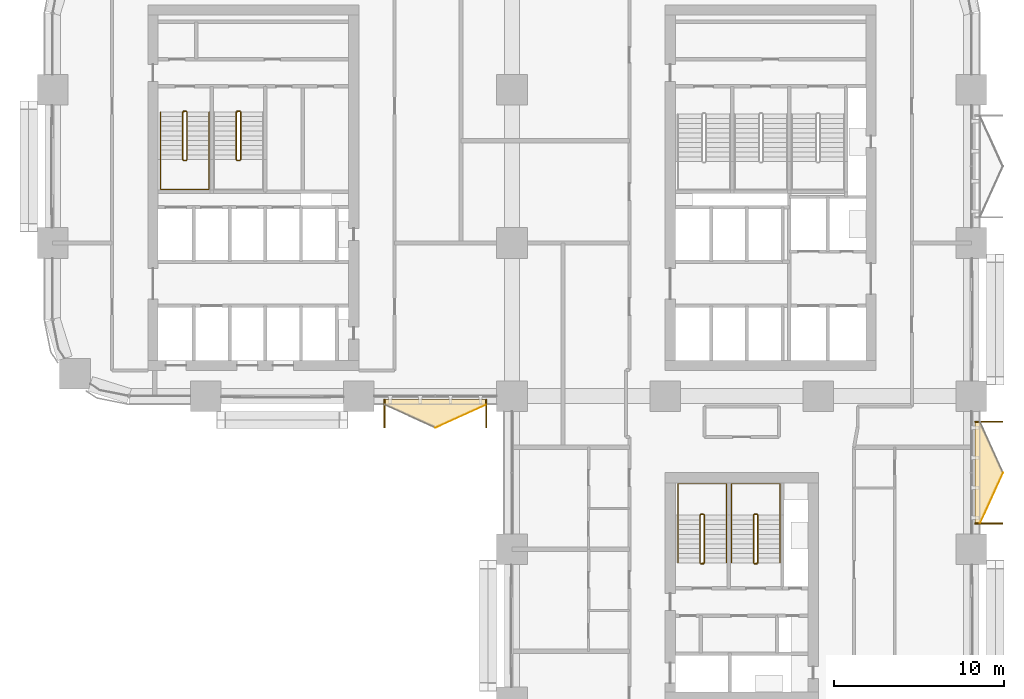
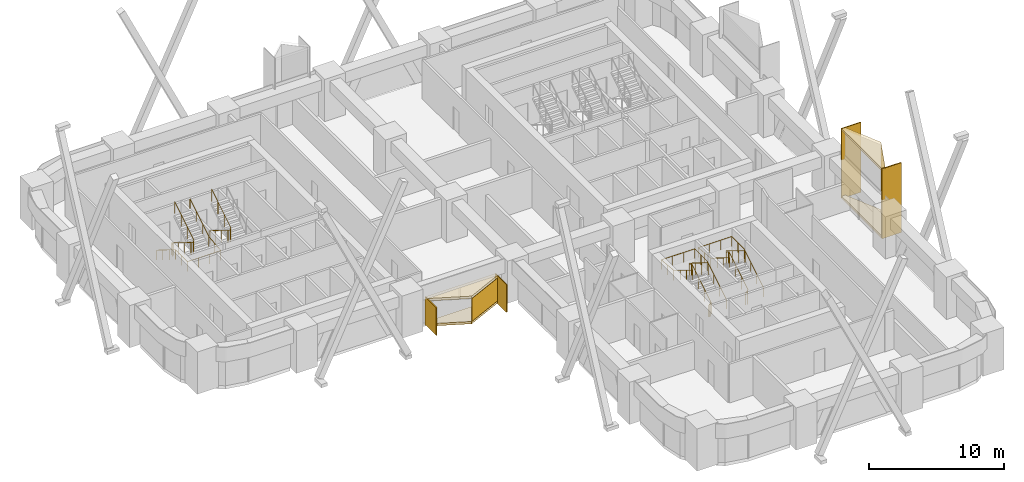
# One storey, part 18 of 19: 10 coverings, 7 railings.
"""IFC4 building model written with IfcOpenShell, lengths in metres."""

import ifcopenshell
import ifcopenshell.guid

model = None  # the IFC model being written
_history = None  # IfcOwnerHistory: only IFC2X3 demands one
_inside = {}  # id of a spatial element -> (the spatial element, [elements in it])
_under = {}  # id of a project, library or spatial element -> (it, [spatial elements below it])
_declared = {}  # id of a project -> (the project, [libraries it declares])
_typed = {}  # id of a type object -> (the type object, [elements of that type])
_made_of = {}  # id of a material, layer set ... -> (it, [elements and type objects made of it])


def new_model(schema):
    """Start an empty IFC model of exactly this schema.

    Asked for "IFC4X3", IfcOpenShell would pick the latest addendum, in which some entities
    have other attributes; the version numbers below select the first issue.
    IFC2X3 requires an IfcOwnerHistory on every rooted entity: one is made here for all.
    """
    global model, _history
    if schema == "IFC4X3":
        model = ifcopenshell.file(schema_version=(4, 3, 0, 0))
    else:
        model = ifcopenshell.file(schema=schema)
    _inside.clear()
    _under.clear()
    _declared.clear()
    _typed.clear()
    _made_of.clear()
    _history = None
    if model.schema == "IFC2X3":
        org = make("IfcOrganization", Name="unknown")
        user = make(
            "IfcPersonAndOrganization",
            ThePerson=make("IfcPerson", FamilyName="unknown"),
            TheOrganization=org,
        )
        app = make(
            "IfcApplication",
            ApplicationDeveloper=org,
            Version="unknown",
            ApplicationFullName="unknown",
            ApplicationIdentifier="unknown",
        )
        _history = make(
            "IfcOwnerHistory",
            OwningUser=user,
            OwningApplication=app,
            ChangeAction="ADDED",
            CreationDate=0,
        )
    return model


def make(cls, **values):
    """One entity of the class cls with the attributes given. An attribute that is None is left unset."""
    return model.create_entity(
        cls, **{name: value for name, value in values.items() if value is not None}
    )


def rooted(cls, **values):
    """An entity with a GlobalId (a new one), such as an element, a storey or a relation."""
    return make(cls, GlobalId=ifcopenshell.guid.new(), OwnerHistory=_history, **values)


def si_unit(unit_type, name, prefix=None):
    """IfcSIUnit, for example si_unit("LENGTHUNIT", "METRE", prefix="MILLI")."""
    return make("IfcSIUnit", UnitType=unit_type, Prefix=prefix, Name=name)


def assignment(units):
    """IfcUnitAssignment: the units of a project."""
    return None if units is None else make("IfcUnitAssignment", Units=units)


def point(xyz):
    """IfcCartesianPoint."""
    return None if xyz is None else make("IfcCartesianPoint", Coordinates=xyz)


def direction(xyz):
    """IfcDirection."""
    return None if xyz is None else make("IfcDirection", DirectionRatios=xyz)


def frame(location, z_axis=None, x_axis=None):
    """IfcAxis2Placement3D, a coordinate frame: its origin and axes. An axis left out is left unset."""
    return make(
        "IfcAxis2Placement3D",
        Location=point(location),
        Axis=direction(z_axis),
        RefDirection=direction(x_axis),
    )


def frame_2d(location, x_axis=None):
    """IfcAxis2Placement2D, a coordinate frame in the plane: its origin and x axis."""
    return make(
        "IfcAxis2Placement2D", Location=point(location), RefDirection=direction(x_axis)
    )


def origin():
    """The frame at (0, 0, 0) with its axes left unset."""
    return frame((0.0, 0.0, 0.0))


def origin_2d():
    """The frame at (0, 0) in the plane with its x axis left unset."""
    return frame_2d((0.0, 0.0))


def place(relative_to, where):
    """IfcLocalPlacement: puts the frame where relative to a parent placement (None: the world)."""
    return make(
        "IfcLocalPlacement", PlacementRelTo=relative_to, RelativePlacement=where
    )


def context(
    kind, dimensions, precision=None, world=None, true_north=None, identifier=None
):
    """IfcGeometricRepresentationContext, for example the 3D "Model" context."""
    return make(
        "IfcGeometricRepresentationContext",
        ContextIdentifier=identifier,
        ContextType=kind,
        CoordinateSpaceDimension=dimensions,
        Precision=precision,
        WorldCoordinateSystem=world,
        TrueNorth=true_north,
    )


def subcontext(parent, identifier, kind, view, scale=None):
    """IfcGeometricRepresentationSubContext, for example "Body" below "Model"."""
    return make(
        "IfcGeometricRepresentationSubContext",
        ContextIdentifier=identifier,
        ContextType=kind,
        ParentContext=parent,
        TargetScale=scale,
        TargetView=view,
    )


def project(units=None, contexts=None):
    """IfcProject with its units and contexts."""
    return rooted(
        "IfcProject",
        Name="project",
        RepresentationContexts=contexts,
        UnitsInContext=assignment(units),
    )


def spatial(cls, under=None, at=None, **own):
    """A site, building, storey or space (cls), placed at a placement, below another one or the project."""
    s = rooted(cls, ObjectPlacement=at, **own)
    if under is not None:
        _under.setdefault(under.id(), (under, []))[1].append(s)
    return s


def polyline(points):
    """IfcPolyline through the points."""
    return make("IfcPolyline", Points=[point(p) for p in points])


def profile(cls, at=None, kind="AREA", **sizes):
    """A parametric profile (cls). Its sizes go by their IFC names, for example OverallWidth=200.0."""
    return make(cls, ProfileType=kind, Position=at, **sizes)


def rectangle(**sizes):
    """IfcRectangleProfileDef."""
    return profile("IfcRectangleProfileDef", **sizes)


def circle(**sizes):
    """IfcCircleProfileDef."""
    return profile("IfcCircleProfileDef", **sizes)


def outline(outer, holes=None, kind="AREA"):
    """IfcArbitraryClosedProfileDef: a profile drawn as a closed curve; with holes, ...WithVoids."""
    if holes is None:
        return make("IfcArbitraryClosedProfileDef", ProfileType=kind, OuterCurve=outer)
    return make(
        "IfcArbitraryProfileDefWithVoids",
        ProfileType=kind,
        OuterCurve=outer,
        InnerCurves=holes,
    )


def extrude(swept, where, along, depth):
    """IfcExtrudedAreaSolid: the profile swept, set in the frame where, extruded along a direction by depth."""
    return make(
        "IfcExtrudedAreaSolid",
        SweptArea=swept,
        Position=where,
        ExtrudedDirection=direction(along),
        Depth=depth,
    )


def shape(context_of_items, identifier, shape_type, items):
    """IfcShapeRepresentation: the items that make up one representation, for example the "Body"."""
    return make(
        "IfcShapeRepresentation",
        ContextOfItems=context_of_items,
        RepresentationIdentifier=identifier,
        RepresentationType=shape_type,
        Items=items,
    )


def material(Name=None, Category=None):
    """IfcMaterial."""
    return make("IfcMaterial", Name=Name, Category=Category)


def layer(
    of_material, thickness, ventilated=None, Name=None, Category=None, Priority=None
):
    """IfcMaterialLayer: one layer of a wall or slab, of a material (None: an air gap)."""
    return make(
        "IfcMaterialLayer",
        Material=of_material,
        LayerThickness=thickness,
        IsVentilated=ventilated,
        Name=Name,
        Category=Category,
        Priority=Priority,
    )


def layer_set(layers, Name=None):
    """IfcMaterialLayerSet."""
    return make("IfcMaterialLayerSet", MaterialLayers=layers, LayerSetName=Name)


def made_of(thing, what):
    """Note that an element or type object is made of a material, layer set ...; save() writes the relation."""
    if what is not None:
        _made_of.setdefault(what.id(), (what, []))[1].append(thing)
    return thing


def type_object(cls, material=None, **own):
    """A type object (cls), such as IfcWallType, which elements share."""
    return made_of(rooted(cls, **own), material)


def element(
    cls,
    number,
    at=None,
    inside=None,
    cuts=None,
    type_object=None,
    material=None,
    context=None,
    identifier="Body",
    shape_type=None,
    held_by="IfcProductDefinitionShape",
    body=None,
    shapes=None,
    **own,
):
    """One element of the class cls, such as IfcWall. Its Tag is "e" and its number.

    at: its placement. inside: the storey or other place that contains it. cuts: it is an
    opening in that element (IfcRelVoidsElement). A single representation is given by context,
    identifier, shape_type and body (its items); several are given by shapes. held_by: the class
    of the entity that holds the representations. save() writes the other relations.
    """
    e = rooted(cls, Tag="e%d" % number, ObjectPlacement=at, **own)
    if body is not None:
        shapes = [shape(context, identifier, shape_type, body)]
    if shapes is not None:
        e.Representation = make(held_by, Representations=shapes)
    if inside is not None:
        _inside.setdefault(inside.id(), (inside, []))[1].append(e)
    if cuts is not None:
        rooted(
            "IfcRelVoidsElement", RelatingBuildingElement=cuts, RelatedOpeningElement=e
        )
    if type_object is not None:
        _typed.setdefault(type_object.id(), (type_object, []))[1].append(e)
    return made_of(e, material)


def aggregate(whole, parts):
    """IfcRelAggregates: a whole, such as a stair, and the parts it consists of."""
    return rooted("IfcRelAggregates", RelatingObject=whole, RelatedObjects=parts)


def save(model, path):
    """Write the relations noted so far, then the file.

    IfcRelAggregates (storeys below a building ...), IfcRelContainedInSpatialStructure (elements
    in a storey), IfcRelDefinesByType, IfcRelAssociatesMaterial and IfcRelDeclares: one each for
    every whole, place, type object, material and project.
    """
    for whole, parts in _under.values():
        aggregate(whole, parts)
    for where, things in _inside.values():
        rooted(
            "IfcRelContainedInSpatialStructure",
            RelatedElements=things,
            RelatingStructure=where,
        )
    for kind, things in _typed.values():
        rooted("IfcRelDefinesByType", RelatedObjects=things, RelatingType=kind)
    for what, things in _made_of.values():
        rooted("IfcRelAssociatesMaterial", RelatedObjects=things, RelatingMaterial=what)
    for by, libraries in _declared.values():
        rooted("IfcRelDeclares", RelatingContext=by, RelatedDefinitions=libraries)
    model.write(path)


model = new_model("IFC4")

# Units and contexts
model_context = context("Model", 3, precision=1e-05, world=origin(), true_north=direction((0.0, 1.0)))
body_context = subcontext(model_context, "Body", "Model", "MODEL_VIEW")
ifc_project = project(units=[si_unit("LENGTHUNIT", "METRE"), si_unit("AREAUNIT", "SQUARE_METRE"), si_unit("VOLUMEUNIT", "CUBIC_METRE"), si_unit("PLANEANGLEUNIT", "RADIAN"), si_unit("MASSUNIT", "GRAM", prefix="KILO")], contexts=[model_context])

# Site, building, storey
site_placement = place(None, origin())
site = spatial("IfcSite", under=ifc_project, at=site_placement, CompositionType="ELEMENT")
building_placement = place(site_placement, origin())
building = spatial("IfcBuilding", under=site, at=building_placement, Name="Tessera Arch", CompositionType="ELEMENT")
storey_placement = place(building_placement, frame((0.0, 0.0, 93.0)))
storey = spatial("IfcBuildingStorey", under=building, at=storey_placement, Name="L21", CompositionType="ELEMENT", Elevation=93.0)

# Railings
ifc_material_1 = material(Name="Painted steel balustrade", Category="steel")
railing_type_1 = type_object("IfcRailingType", Name="Stair guard 1100", PredefinedType="GUARDRAIL", material=ifc_material_1)
railing_1_placement = place(storey_placement, frame((7.699951171875, 43.75, 0.0)))
element("IfcRailing", 1, at=railing_1_placement, inside=storey, type_object=railing_type_1, Name="L21 S2a stair guard 1", PredefinedType="GUARDRAIL", context=body_context, shape_type="SweptSolid", body=[
    extrude(circle(Radius=0.02392578125, at=origin_2d()), frame((-0.00390625, 0.0, 1.076171875), z_axis=(1.0, 0.0, 0.0), x_axis=(0.0, 1.0, 0.0)), (0.0, 0.0, 1.0), 0.158203125),
    extrude(circle(Radius=0.02392578125, at=origin_2d()), frame((0.153076171875, 0.000732421875, 1.073486328125), z_axis=(-0.744141464035, -0.186035366009, 0.641595140332), x_axis=(0.242535625036, -0.970142500145, 0.0)), (0.0, 0.0, 1.0), 0.277099609375),
    extrude(circle(Radius=0.02392578125, at=origin_2d()), frame((-0.050048828125, -0.046630859375, 1.24658203125), z_axis=(0.0, -0.851089632645, 0.525020415988), x_axis=(1.0, 0.0, 0.0)), (0.0, 0.0, 1.0), 3.2978515625),
    extrude(circle(Radius=0.02392578125, at=origin_2d()), frame((-0.052978515625, -2.84716796875, 2.97607421875), z_axis=(0.708833529934, -0.705375805398, 0.0), x_axis=(0.705375805398, 0.708833529934, 0.0)), (0.0, 0.0, 1.0), 0.07861328125),
    extrude(circle(Radius=0.02392578125, at=origin_2d()), frame((-0.00390625, -2.89990234375, 2.97607421875), z_axis=(1.0, 0.0, 0.0), x_axis=(0.0, 1.0, 0.0)), (0.0, 0.0, 1.0), 0.158203125),
    extrude(circle(Radius=0.02392578125, at=origin_2d()), frame((0.149169921875, -2.90087890625, 2.97216796875), z_axis=(0.266832911964, 0.266832911964, 0.926067165051), x_axis=(-0.707106781187, 0.707106781187, 0.0)), (0.0, 0.0, 1.0), 0.194580078125),
    extrude(circle(Radius=0.02392578125, at=origin_2d()), frame((0.199951171875, -2.853515625, 3.146728515625), z_axis=(0.0, 0.851089632645, 0.525020415988), x_axis=(-1.0, 0.0, 0.0)), (0.0, 0.0, 1.0), 3.2978515625),
    extrude(circle(Radius=0.02099609375, at=origin_2d()), origin(), (0.0, 0.0, 1.0), 1.06396484375),
    extrude(circle(Radius=0.02099609375, at=origin_2d()), frame((0.150146484375, 0.0, 0.0)), (0.0, 0.0, 1.0), 1.06396484375),
    extrude(circle(Radius=0.02099609375, at=origin_2d()), frame((-0.050048828125, -0.050048828125, 0.172607421875)), (0.0, 0.0, 1.0), 1.06396484375),
    extrude(circle(Radius=0.02099609375, at=origin_2d()), frame((-0.050048828125, -0.9833984375, 0.748291015625)), (0.0, 0.0, 1.0), 1.06396484375),
    extrude(circle(Radius=0.02099609375, at=origin_2d()), frame((-0.050048828125, -1.916748046875, 1.32421875)), (0.0, 0.0, 1.0), 1.06396484375),
    extrude(circle(Radius=0.02099609375, at=origin_2d()), frame((-0.050048828125, -2.85009765625, 1.89990234375)), (0.0, 0.0, 1.0), 1.06396484375),
    extrude(circle(Radius=0.02099609375, at=origin_2d()), frame((0.0, -2.89990234375, 1.89990234375)), (0.0, 0.0, 1.0), 1.06396484375),
    extrude(circle(Radius=0.02099609375, at=origin_2d()), frame((0.150146484375, -2.89990234375, 1.89990234375)), (0.0, 0.0, 1.0), 1.06396484375),
    extrude(circle(Radius=0.02099609375, at=origin_2d()), frame((0.199951171875, -2.85009765625, 2.07275390625)), (0.0, 0.0, 1.0), 1.06396484375),
    extrude(circle(Radius=0.02099609375, at=origin_2d()), frame((0.199951171875, -1.916748046875, 2.6484375)), (0.0, 0.0, 1.0), 1.06396484375),
    extrude(circle(Radius=0.02099609375, at=origin_2d()), frame((0.199951171875, -0.9833984375, 3.224365234375)), (0.0, 0.0, 1.0), 1.06396484375),
    extrude(circle(Radius=0.02099609375, at=origin_2d()), frame((0.199951171875, -0.050048828125, 3.800048828125)), (0.0, 0.0, 1.0), 1.06396484375),
])
railing_2_placement = place(storey_placement, frame((10.85009765625, 43.75, 0.0)))
element("IfcRailing", 2, at=railing_2_placement, inside=storey, type_object=railing_type_1, Name="L21 S2b stair guard 1", PredefinedType="GUARDRAIL", context=body_context, shape_type="SweptSolid", body=[
    extrude(circle(Radius=0.02392578125, at=origin_2d()), frame((-0.00390625, 0.0, 1.076171875), z_axis=(1.0, 0.0, 0.0), x_axis=(0.0, 1.0, 0.0)), (0.0, 0.0, 1.0), 0.157958984375),
    extrude(circle(Radius=0.02392578125, at=origin_2d()), frame((0.15283203125, 0.000732421875, 1.073486328125), z_axis=(-0.743736083135, -0.18616104645, 0.642028584587), x_axis=(0.242814311512, -0.970072785993, 0.0)), (0.0, 0.0, 1.0), 0.27685546875),
    extrude(circle(Radius=0.02392578125, at=origin_2d()), frame((-0.050048828125, -0.046630859375, 1.24658203125), z_axis=(0.0, -0.851089632645, 0.525020415988), x_axis=(1.0, 0.0, 0.0)), (0.0, 0.0, 1.0), 3.2978515625),
    extrude(circle(Radius=0.02392578125, at=origin_2d()), frame((-0.052978515625, -2.84716796875, 2.97607421875), z_axis=(0.708833529934, -0.705375805398, 0.0), x_axis=(0.705375805398, 0.708833529934, 0.0)), (0.0, 0.0, 1.0), 0.07861328125),
    extrude(circle(Radius=0.02392578125, at=origin_2d()), frame((-0.00390625, -2.89990234375, 2.97607421875), z_axis=(1.0, 0.0, 0.0), x_axis=(0.0, 1.0, 0.0)), (0.0, 0.0, 1.0), 0.157958984375),
    extrude(circle(Radius=0.02392578125, at=origin_2d()), frame((0.14892578125, -2.90087890625, 2.97216796875), z_axis=(0.268047150085, 0.266739603011, 0.925743328097), x_axis=(-0.705375805398, 0.708833529934, 0.0)), (0.0, 0.0, 1.0), 0.19482421875),
    extrude(circle(Radius=0.02392578125, at=origin_2d()), frame((0.199951171875, -2.853515625, 3.146728515625), z_axis=(0.0, 0.851089632645, 0.525020415988), x_axis=(-1.0, 0.0, 0.0)), (0.0, 0.0, 1.0), 3.2978515625),
    extrude(circle(Radius=0.02099609375, at=origin_2d()), origin(), (0.0, 0.0, 1.0), 1.06396484375),
    extrude(circle(Radius=0.02099609375, at=origin_2d()), frame((0.14990234375, 0.0, 0.0)), (0.0, 0.0, 1.0), 1.06396484375),
    extrude(circle(Radius=0.02099609375, at=origin_2d()), frame((-0.050048828125, -0.050048828125, 0.172607421875)), (0.0, 0.0, 1.0), 1.06396484375),
    extrude(circle(Radius=0.02099609375, at=origin_2d()), frame((-0.050048828125, -0.9833984375, 0.748291015625)), (0.0, 0.0, 1.0), 1.06396484375),
    extrude(circle(Radius=0.02099609375, at=origin_2d()), frame((-0.050048828125, -1.916748046875, 1.32421875)), (0.0, 0.0, 1.0), 1.06396484375),
    extrude(circle(Radius=0.02099609375, at=origin_2d()), frame((-0.050048828125, -2.85009765625, 1.89990234375)), (0.0, 0.0, 1.0), 1.06396484375),
    extrude(circle(Radius=0.02099609375, at=origin_2d()), frame((0.0, -2.89990234375, 1.89990234375)), (0.0, 0.0, 1.0), 1.06396484375),
    extrude(circle(Radius=0.02099609375, at=origin_2d()), frame((0.14990234375, -2.89990234375, 1.89990234375)), (0.0, 0.0, 1.0), 1.06396484375),
    extrude(circle(Radius=0.02099609375, at=origin_2d()), frame((0.199951171875, -2.85009765625, 2.07275390625)), (0.0, 0.0, 1.0), 1.06396484375),
    extrude(circle(Radius=0.02099609375, at=origin_2d()), frame((0.199951171875, -1.916748046875, 2.6484375)), (0.0, 0.0, 1.0), 1.06396484375),
    extrude(circle(Radius=0.02099609375, at=origin_2d()), frame((0.199951171875, -0.9833984375, 3.224365234375)), (0.0, 0.0, 1.0), 1.06396484375),
    extrude(circle(Radius=0.02099609375, at=origin_2d()), frame((0.199951171875, -0.050048828125, 3.800048828125)), (0.0, 0.0, 1.0), 1.06396484375),
])
railing_3_placement = place(storey_placement, frame((38.25, 17.14990234375, 0.0)))
element("IfcRailing", 3, at=railing_3_placement, inside=storey, type_object=railing_type_1, Name="L21 S3a stair guard 1", PredefinedType="GUARDRAIL", context=body_context, shape_type="SweptSolid", body=[
    extrude(circle(Radius=0.02392578125, at=origin_2d()), frame((0.00390625, 0.0, 1.076171875), z_axis=(-1.0, 0.0, 0.0), x_axis=(0.0, -1.0, 0.0)), (0.0, 0.0, 1.0), 0.157958984375),
    extrude(circle(Radius=0.02392578125, at=origin_2d()), frame((-0.15283203125, -0.000732421875, 1.073486328125), z_axis=(0.743736083135, 0.18616104645, 0.642028584587), x_axis=(-0.242814311512, 0.970072785993, 0.0)), (0.0, 0.0, 1.0), 0.27685546875),
    extrude(circle(Radius=0.02392578125, at=origin_2d()), frame((0.050048828125, 0.046630859375, 1.24658203125), z_axis=(0.0, 0.851089632645, 0.525020415988), x_axis=(-1.0, 0.0, 0.0)), (0.0, 0.0, 1.0), 3.2978515625),
    extrude(circle(Radius=0.02392578125, at=origin_2d()), frame((0.052978515625, 2.84716796875, 2.97607421875), z_axis=(-0.707106781187, 0.707106781187, 0.0), x_axis=(-0.707106781187, -0.707106781187, 0.0)), (0.0, 0.0, 1.0), 0.078857421875),
    extrude(circle(Radius=0.02392578125, at=origin_2d()), frame((0.00390625, 2.900146484375, 2.97607421875), z_axis=(-1.0, 0.0, 0.0), x_axis=(0.0, -1.0, 0.0)), (0.0, 0.0, 1.0), 0.157958984375),
    extrude(circle(Radius=0.02392578125, at=origin_2d()), frame((-0.14892578125, 2.901123046875, 2.97216796875), z_axis=(-0.267953482034, -0.267953482034, 0.925419830635), x_axis=(0.707106781187, -0.707106781187, 0.0)), (0.0, 0.0, 1.0), 0.19482421875),
    extrude(circle(Radius=0.02392578125, at=origin_2d()), frame((-0.199951171875, 2.853515625, 3.146728515625), z_axis=(0.0, -0.851089632645, 0.525020415988), x_axis=(1.0, 0.0, 0.0)), (0.0, 0.0, 1.0), 3.2978515625),
    extrude(circle(Radius=0.02099609375, at=origin_2d()), origin(), (0.0, 0.0, 1.0), 1.06396484375),
    extrude(circle(Radius=0.02099609375, at=origin_2d()), frame((-0.14990234375, 0.0, 0.0)), (0.0, 0.0, 1.0), 1.06396484375),
    extrude(circle(Radius=0.02099609375, at=origin_2d()), frame((0.050048828125, 0.050048828125, 0.172607421875)), (0.0, 0.0, 1.0), 1.06396484375),
    extrude(circle(Radius=0.02099609375, at=origin_2d()), frame((0.050048828125, 0.9833984375, 0.748291015625)), (0.0, 0.0, 1.0), 1.06396484375),
    extrude(circle(Radius=0.02099609375, at=origin_2d()), frame((0.050048828125, 1.916748046875, 1.32421875)), (0.0, 0.0, 1.0), 1.06396484375),
    extrude(circle(Radius=0.02099609375, at=origin_2d()), frame((0.050048828125, 2.85009765625, 1.89990234375)), (0.0, 0.0, 1.0), 1.06396484375),
    extrude(circle(Radius=0.02099609375, at=origin_2d()), frame((0.0, 2.900146484375, 1.89990234375)), (0.0, 0.0, 1.0), 1.06396484375),
    extrude(circle(Radius=0.02099609375, at=origin_2d()), frame((-0.14990234375, 2.900146484375, 1.89990234375)), (0.0, 0.0, 1.0), 1.06396484375),
    extrude(circle(Radius=0.02099609375, at=origin_2d()), frame((-0.199951171875, 2.85009765625, 2.07275390625)), (0.0, 0.0, 1.0), 1.06396484375),
    extrude(circle(Radius=0.02099609375, at=origin_2d()), frame((-0.199951171875, 1.916748046875, 2.6484375)), (0.0, 0.0, 1.0), 1.06396484375),
    extrude(circle(Radius=0.02099609375, at=origin_2d()), frame((-0.199951171875, 0.9833984375, 3.224365234375)), (0.0, 0.0, 1.0), 1.06396484375),
    extrude(circle(Radius=0.02099609375, at=origin_2d()), frame((-0.199951171875, 0.050048828125, 3.800048828125)), (0.0, 0.0, 1.0), 1.06396484375),
])
railing_4_placement = place(storey_placement, frame((41.39990234375, 17.14990234375, 0.0)))
element("IfcRailing", 4, at=railing_4_placement, inside=storey, type_object=railing_type_1, Name="L21 S3b stair guard 1", PredefinedType="GUARDRAIL", context=body_context, shape_type="SweptSolid", body=[
    extrude(circle(Radius=0.02392578125, at=origin_2d()), frame((0.00390625, 0.0, 1.076171875), z_axis=(-1.0, 0.0, 0.0), x_axis=(0.0, -1.0, 0.0)), (0.0, 0.0, 1.0), 0.157958984375),
    extrude(circle(Radius=0.02392578125, at=origin_2d()), frame((-0.15283203125, -0.000732421875, 1.073486328125), z_axis=(0.743736083135, 0.18616104645, 0.642028584587), x_axis=(-0.242814311512, 0.970072785993, 0.0)), (0.0, 0.0, 1.0), 0.27685546875),
    extrude(circle(Radius=0.02392578125, at=origin_2d()), frame((0.050048828125, 0.046630859375, 1.24658203125), z_axis=(0.0, 0.851089632645, 0.525020415988), x_axis=(-1.0, 0.0, 0.0)), (0.0, 0.0, 1.0), 3.2978515625),
    extrude(circle(Radius=0.02392578125, at=origin_2d()), frame((0.052978515625, 2.84716796875, 2.97607421875), z_axis=(-0.707106781187, 0.707106781187, 0.0), x_axis=(-0.707106781187, -0.707106781187, 0.0)), (0.0, 0.0, 1.0), 0.078857421875),
    extrude(circle(Radius=0.02392578125, at=origin_2d()), frame((0.00390625, 2.900146484375, 2.97607421875), z_axis=(-1.0, 0.0, 0.0), x_axis=(0.0, -1.0, 0.0)), (0.0, 0.0, 1.0), 0.157958984375),
    extrude(circle(Radius=0.02392578125, at=origin_2d()), frame((-0.14892578125, 2.901123046875, 2.97216796875), z_axis=(-0.267953482034, -0.267953482034, 0.925419830635), x_axis=(0.707106781187, -0.707106781187, 0.0)), (0.0, 0.0, 1.0), 0.19482421875),
    extrude(circle(Radius=0.02392578125, at=origin_2d()), frame((-0.199951171875, 2.853515625, 3.146728515625), z_axis=(0.0, -0.851089632645, 0.525020415988), x_axis=(1.0, 0.0, 0.0)), (0.0, 0.0, 1.0), 3.2978515625),
    extrude(circle(Radius=0.02099609375, at=origin_2d()), origin(), (0.0, 0.0, 1.0), 1.06396484375),
    extrude(circle(Radius=0.02099609375, at=origin_2d()), frame((-0.14990234375, 0.0, 0.0)), (0.0, 0.0, 1.0), 1.06396484375),
    extrude(circle(Radius=0.02099609375, at=origin_2d()), frame((0.050048828125, 0.050048828125, 0.172607421875)), (0.0, 0.0, 1.0), 1.06396484375),
    extrude(circle(Radius=0.02099609375, at=origin_2d()), frame((0.050048828125, 0.9833984375, 0.748291015625)), (0.0, 0.0, 1.0), 1.06396484375),
    extrude(circle(Radius=0.02099609375, at=origin_2d()), frame((0.050048828125, 1.916748046875, 1.32421875)), (0.0, 0.0, 1.0), 1.06396484375),
    extrude(circle(Radius=0.02099609375, at=origin_2d()), frame((0.050048828125, 2.85009765625, 1.89990234375)), (0.0, 0.0, 1.0), 1.06396484375),
    extrude(circle(Radius=0.02099609375, at=origin_2d()), frame((0.0, 2.900146484375, 1.89990234375)), (0.0, 0.0, 1.0), 1.06396484375),
    extrude(circle(Radius=0.02099609375, at=origin_2d()), frame((-0.14990234375, 2.900146484375, 1.89990234375)), (0.0, 0.0, 1.0), 1.06396484375),
    extrude(circle(Radius=0.02099609375, at=origin_2d()), frame((-0.199951171875, 2.85009765625, 2.07275390625)), (0.0, 0.0, 1.0), 1.06396484375),
    extrude(circle(Radius=0.02099609375, at=origin_2d()), frame((-0.199951171875, 1.916748046875, 2.6484375)), (0.0, 0.0, 1.0), 1.06396484375),
    extrude(circle(Radius=0.02099609375, at=origin_2d()), frame((-0.199951171875, 0.9833984375, 3.224365234375)), (0.0, 0.0, 1.0), 1.06396484375),
    extrude(circle(Radius=0.02099609375, at=origin_2d()), frame((-0.199951171875, 0.050048828125, 3.800048828125)), (0.0, 0.0, 1.0), 1.06396484375),
])
ifc_material_2 = material(Name="Painted steel handrail", Category="steel")
railing_type_2 = type_object("IfcRailingType", Name="Stair handrail 900", PredefinedType="HANDRAIL", material=ifc_material_2)
railing_5_placement = place(storey_placement, frame((6.35009765625, 43.699951171875, 0.172607421875)))
element("IfcRailing", 5, at=railing_5_placement, inside=storey, type_object=railing_type_2, Name="L21 S2a stair handrail", PredefinedType="HANDRAIL", context=body_context, shape_type="SweptSolid", body=[
    extrude(circle(Radius=0.02392578125, at=origin_2d()), frame((0.0, 0.00341796875, 0.873779296875), z_axis=(0.0, -0.851089632645, 0.525020415988), x_axis=(1.0, 0.0, 0.0)), (0.0, 0.0, 1.0), 3.2978515625),
    extrude(circle(Radius=0.02392578125, at=origin_2d()), frame((0.0, -2.796142578125, 2.60302734375), z_axis=(0.0, -1.0, 0.0), x_axis=(1.0, 0.0, 0.0)), (0.0, 0.0, 1.0), 1.758056640625),
    extrude(circle(Radius=0.02392578125, at=origin_2d()), frame((-0.00390625, -4.550048828125, 2.60302734375), z_axis=(1.0, 0.0, 0.0), x_axis=(0.0, 1.0, 0.0)), (0.0, 0.0, 1.0), 2.85791015625),
    extrude(circle(Radius=0.02392578125, at=origin_2d()), frame((2.849853515625, -4.553955078125, 2.602783203125), z_axis=(0.0, 0.995157418657, 0.098294008428), x_axis=(-1.0, 0.0, 0.0)), (0.0, 0.0, 1.0), 1.7666015625),
    extrude(circle(Radius=0.02392578125, at=origin_2d()), frame((2.849853515625, -2.803466796875, 2.77392578125), z_axis=(0.0, 0.851089632645, 0.525020415988), x_axis=(-1.0, 0.0, 0.0)), (0.0, 0.0, 1.0), 3.2978515625),
    extrude(circle(Radius=0.02099609375, at=origin_2d()), origin(), (0.0, 0.0, 1.0), 0.86376953125),
    extrude(circle(Radius=0.02099609375, at=origin_2d()), frame((0.0, -0.933349609375, 0.57568359375)), (0.0, 0.0, 1.0), 0.86376953125),
    extrude(circle(Radius=0.02099609375, at=origin_2d()), frame((0.0, -1.86669921875, 1.151611328125)), (0.0, 0.0, 1.0), 0.86376953125),
    extrude(circle(Radius=0.02099609375, at=origin_2d()), frame((0.0, -2.800048828125, 1.727294921875)), (0.0, 0.0, 1.0), 0.86376953125),
    extrude(circle(Radius=0.02099609375, at=origin_2d()), frame((0.0, -3.675048828125, 1.727294921875)), (0.0, 0.0, 1.0), 0.86376953125),
    extrude(circle(Radius=0.02099609375, at=origin_2d()), frame((0.0, -4.550048828125, 1.727294921875)), (0.0, 0.0, 1.0), 0.86376953125),
    extrude(circle(Radius=0.02099609375, at=origin_2d()), frame((0.949951171875, -4.550048828125, 1.727294921875)), (0.0, 0.0, 1.0), 0.86376953125),
    extrude(circle(Radius=0.02099609375, at=origin_2d()), frame((1.89990234375, -4.550048828125, 1.727294921875)), (0.0, 0.0, 1.0), 0.86376953125),
    extrude(circle(Radius=0.02099609375, at=origin_2d()), frame((2.849853515625, -4.550048828125, 1.727294921875)), (0.0, 0.0, 1.0), 0.86376953125),
    extrude(circle(Radius=0.02099609375, at=origin_2d()), frame((2.849853515625, -3.675048828125, 1.813720703125)), (0.0, 0.0, 1.0), 0.86376953125),
    extrude(circle(Radius=0.02099609375, at=origin_2d()), frame((2.849853515625, -2.800048828125, 1.900146484375)), (0.0, 0.0, 1.0), 0.86376953125),
    extrude(circle(Radius=0.02099609375, at=origin_2d()), frame((2.849853515625, -1.86669921875, 2.475830078125)), (0.0, 0.0, 1.0), 0.86376953125),
    extrude(circle(Radius=0.02099609375, at=origin_2d()), frame((2.849853515625, -0.933349609375, 3.0517578125)), (0.0, 0.0, 1.0), 0.86376953125),
    extrude(circle(Radius=0.02099609375, at=origin_2d()), frame((2.849853515625, 0.0, 3.62744140625)), (0.0, 0.0, 1.0), 0.86376953125),
])
railing_6_placement = place(storey_placement, frame((39.60009765625, 17.199951171875, 0.172607421875)))
element("IfcRailing", 6, at=railing_6_placement, inside=storey, type_object=railing_type_2, Name="L21 S3a stair handrail", PredefinedType="HANDRAIL", context=body_context, shape_type="SweptSolid", body=[
    extrude(circle(Radius=0.02392578125, at=origin_2d()), frame((0.0, -0.00341796875, 0.873779296875), z_axis=(0.0, 0.851089632645, 0.525020415988), x_axis=(-1.0, 0.0, 0.0)), (0.0, 0.0, 1.0), 3.2978515625),
    extrude(circle(Radius=0.02392578125, at=origin_2d()), frame((0.0, 2.796142578125, 2.60302734375), z_axis=(0.0, 1.0, 0.0), x_axis=(-1.0, 0.0, 0.0)), (0.0, 0.0, 1.0), 1.858154296875),
    extrude(circle(Radius=0.02392578125, at=origin_2d()), frame((0.00390625, 4.650146484375, 2.60302734375), z_axis=(-1.0, 0.0, 0.0), x_axis=(0.0, -1.0, 0.0)), (0.0, 0.0, 1.0), 2.858154296875),
    extrude(circle(Radius=0.02392578125, at=origin_2d()), frame((-2.85009765625, 4.654052734375, 2.602783203125), z_axis=(0.0, -0.99566393824, 0.093023234135), x_axis=(1.0, 0.0, 0.0)), (0.0, 0.0, 1.0), 1.8662109375),
    extrude(circle(Radius=0.02392578125, at=origin_2d()), frame((-2.85009765625, 2.803466796875, 2.77392578125), z_axis=(0.0, -0.851089632645, 0.525020415988), x_axis=(1.0, 0.0, 0.0)), (0.0, 0.0, 1.0), 3.2978515625),
    extrude(circle(Radius=0.02099609375, at=origin_2d()), origin(), (0.0, 0.0, 1.0), 0.86376953125),
    extrude(circle(Radius=0.02099609375, at=origin_2d()), frame((0.0, 0.933349609375, 0.57568359375)), (0.0, 0.0, 1.0), 0.86376953125),
    extrude(circle(Radius=0.02099609375, at=origin_2d()), frame((0.0, 1.86669921875, 1.151611328125)), (0.0, 0.0, 1.0), 0.86376953125),
    extrude(circle(Radius=0.02099609375, at=origin_2d()), frame((0.0, 2.800048828125, 1.727294921875)), (0.0, 0.0, 1.0), 0.86376953125),
    extrude(circle(Radius=0.02099609375, at=origin_2d()), frame((0.0, 3.72509765625, 1.727294921875)), (0.0, 0.0, 1.0), 0.86376953125),
    extrude(circle(Radius=0.02099609375, at=origin_2d()), frame((0.0, 4.650146484375, 1.727294921875)), (0.0, 0.0, 1.0), 0.86376953125),
    extrude(circle(Radius=0.02099609375, at=origin_2d()), frame((-0.949951171875, 4.650146484375, 1.727294921875)), (0.0, 0.0, 1.0), 0.86376953125),
    extrude(circle(Radius=0.02099609375, at=origin_2d()), frame((-1.900146484375, 4.650146484375, 1.727294921875)), (0.0, 0.0, 1.0), 0.86376953125),
    extrude(circle(Radius=0.02099609375, at=origin_2d()), frame((-2.85009765625, 4.650146484375, 1.727294921875)), (0.0, 0.0, 1.0), 0.86376953125),
    extrude(circle(Radius=0.02099609375, at=origin_2d()), frame((-2.85009765625, 3.72509765625, 1.813720703125)), (0.0, 0.0, 1.0), 0.86376953125),
    extrude(circle(Radius=0.02099609375, at=origin_2d()), frame((-2.85009765625, 2.800048828125, 1.900146484375)), (0.0, 0.0, 1.0), 0.86376953125),
    extrude(circle(Radius=0.02099609375, at=origin_2d()), frame((-2.85009765625, 1.86669921875, 2.475830078125)), (0.0, 0.0, 1.0), 0.86376953125),
    extrude(circle(Radius=0.02099609375, at=origin_2d()), frame((-2.85009765625, 0.933349609375, 3.0517578125)), (0.0, 0.0, 1.0), 0.86376953125),
    extrude(circle(Radius=0.02099609375, at=origin_2d()), frame((-2.85009765625, 0.0, 3.62744140625)), (0.0, 0.0, 1.0), 0.86376953125),
])
railing_7_placement = place(storey_placement, frame((42.75, 17.199951171875, 0.172607421875)))
element("IfcRailing", 7, at=railing_7_placement, inside=storey, type_object=railing_type_2, Name="L21 S3b stair handrail", PredefinedType="HANDRAIL", context=body_context, shape_type="SweptSolid", body=[
    extrude(circle(Radius=0.02392578125, at=origin_2d()), frame((0.0, -0.00341796875, 0.873779296875), z_axis=(0.0, 0.851089632645, 0.525020415988), x_axis=(-1.0, 0.0, 0.0)), (0.0, 0.0, 1.0), 3.2978515625),
    extrude(circle(Radius=0.02392578125, at=origin_2d()), frame((0.0, 2.796142578125, 2.60302734375), z_axis=(0.0, 1.0, 0.0), x_axis=(-1.0, 0.0, 0.0)), (0.0, 0.0, 1.0), 1.858154296875),
    extrude(circle(Radius=0.02392578125, at=origin_2d()), frame((0.00390625, 4.650146484375, 2.60302734375), z_axis=(-1.0, 0.0, 0.0), x_axis=(0.0, -1.0, 0.0)), (0.0, 0.0, 1.0), 2.858154296875),
    extrude(circle(Radius=0.02392578125, at=origin_2d()), frame((-2.85009765625, 4.654052734375, 2.602783203125), z_axis=(0.0, -0.99566393824, 0.093023234135), x_axis=(1.0, 0.0, 0.0)), (0.0, 0.0, 1.0), 1.8662109375),
    extrude(circle(Radius=0.02392578125, at=origin_2d()), frame((-2.85009765625, 2.803466796875, 2.77392578125), z_axis=(0.0, -0.851089632645, 0.525020415988), x_axis=(1.0, 0.0, 0.0)), (0.0, 0.0, 1.0), 3.2978515625),
    extrude(circle(Radius=0.02099609375, at=origin_2d()), origin(), (0.0, 0.0, 1.0), 0.86376953125),
    extrude(circle(Radius=0.02099609375, at=origin_2d()), frame((0.0, 0.933349609375, 0.57568359375)), (0.0, 0.0, 1.0), 0.86376953125),
    extrude(circle(Radius=0.02099609375, at=origin_2d()), frame((0.0, 1.86669921875, 1.151611328125)), (0.0, 0.0, 1.0), 0.86376953125),
    extrude(circle(Radius=0.02099609375, at=origin_2d()), frame((0.0, 2.800048828125, 1.727294921875)), (0.0, 0.0, 1.0), 0.86376953125),
    extrude(circle(Radius=0.02099609375, at=origin_2d()), frame((0.0, 3.72509765625, 1.727294921875)), (0.0, 0.0, 1.0), 0.86376953125),
    extrude(circle(Radius=0.02099609375, at=origin_2d()), frame((0.0, 4.650146484375, 1.727294921875)), (0.0, 0.0, 1.0), 0.86376953125),
    extrude(circle(Radius=0.02099609375, at=origin_2d()), frame((-0.949951171875, 4.650146484375, 1.727294921875)), (0.0, 0.0, 1.0), 0.86376953125),
    extrude(circle(Radius=0.02099609375, at=origin_2d()), frame((-1.900146484375, 4.650146484375, 1.727294921875)), (0.0, 0.0, 1.0), 0.86376953125),
    extrude(circle(Radius=0.02099609375, at=origin_2d()), frame((-2.85009765625, 4.650146484375, 1.727294921875)), (0.0, 0.0, 1.0), 0.86376953125),
    extrude(circle(Radius=0.02099609375, at=origin_2d()), frame((-2.85009765625, 3.72509765625, 1.813720703125)), (0.0, 0.0, 1.0), 0.86376953125),
    extrude(circle(Radius=0.02099609375, at=origin_2d()), frame((-2.85009765625, 2.800048828125, 1.900146484375)), (0.0, 0.0, 1.0), 0.86376953125),
    extrude(circle(Radius=0.02099609375, at=origin_2d()), frame((-2.85009765625, 1.86669921875, 2.475830078125)), (0.0, 0.0, 1.0), 0.86376953125),
    extrude(circle(Radius=0.02099609375, at=origin_2d()), frame((-2.85009765625, 0.933349609375, 3.0517578125)), (0.0, 0.0, 1.0), 0.86376953125),
    extrude(circle(Radius=0.02099609375, at=origin_2d()), frame((-2.85009765625, 0.0, 3.62744140625)), (0.0, 0.0, 1.0), 0.86376953125),
])

# Coverings
ifc_material_3 = material(Name="Anodised aluminium pale metal", Category="aluminium")
ifc_layer_1 = layer(ifc_material_3, 0.080078125)
ifc_layer_set_1 = layer_set([ifc_layer_1], Name="Window box cheek")
covering_type_1 = type_object("IfcCoveringType", Name="Window box cheek", PredefinedType="CLADDING", material=ifc_layer_set_1)
covering_1_placement = place(storey_placement, origin())
element("IfcCovering", 8, at=covering_1_placement, inside=storey, type_object=covering_type_1, Name="Window box S27.0/2.0 2x1 cheek", PredefinedType="CLADDING", context=body_context, shape_type="SweptSolid", body=[
    extrude(outline(polyline([(19.469970703125, 25.14990234375), (19.550048828125, 25.14990234375), (19.550048828125, 26.800048828125), (19.469970703125, 26.800048828125), (19.469970703125, 25.14990234375)])), origin(), (0.0, 0.0, 1.0), 2.5),
])
covering_2_placement = place(storey_placement, origin())
element("IfcCovering", 9, at=covering_2_placement, inside=storey, type_object=covering_type_1, Name="Window box S27.0/2.0 2x1 cheek", PredefinedType="CLADDING", context=body_context, shape_type="SweptSolid", body=[
    extrude(outline(polyline([(25.449951171875, 25.14990234375), (25.530029296875, 25.14990234375), (25.530029296875, 26.800048828125), (25.449951171875, 26.800048828125), (25.449951171875, 25.14990234375)])), origin(), (0.0, 0.0, 1.0), 2.5),
])
covering_3_placement = place(storey_placement, origin())
element("IfcCovering", 10, at=covering_3_placement, inside=storey, type_object=covering_type_1, Name="Window box E54.0/2.0 2x2 cheek", PredefinedType="CLADDING", context=body_context, shape_type="SweptSolid", body=[
    extrude(outline(polyline([(55.85009765625, 19.469970703125), (55.85009765625, 19.550048828125), (54.199951171875, 19.550048828125), (54.199951171875, 19.469970703125), (55.85009765625, 19.469970703125)])), origin(), (0.0, 0.0, 1.0), 6.300048828125),
])
covering_4_placement = place(storey_placement, origin())
element("IfcCovering", 11, at=covering_4_placement, inside=storey, type_object=covering_type_1, Name="Window box E54.0/2.0 2x2 cheek", PredefinedType="CLADDING", context=body_context, shape_type="SweptSolid", body=[
    extrude(outline(polyline([(55.85009765625, 25.449951171875), (55.85009765625, 25.530029296875), (54.199951171875, 25.530029296875), (54.199951171875, 25.449951171875), (55.85009765625, 25.449951171875)])), origin(), (0.0, 0.0, 1.0), 6.300048828125),
])
ifc_material_4 = material(Name="Anodised aluminium pale metal", Category="aluminium")
ifc_layer_2 = layer(ifc_material_4, 0.219970703125)
ifc_layer_set_2 = layer_set([ifc_layer_2], Name="Window box frame plate pale metal")
covering_type_2 = type_object("IfcCoveringType", Name="Window box frame plate pale metal", PredefinedType="CLADDING", material=ifc_layer_set_2)
for number, where, name in (
    (12, (0.0, 0.0, 0.0), "Window box S27.0/2.0 2x1 floor"),
    (13, (0.0, 0.0, 2.280029296875), "Window box S27.0/2.0 2x1 roof"),
):
    element("IfcCovering", number, at=place(storey_placement, frame(where)), inside=storey, type_object=covering_type_2, Name=name, PredefinedType="CLADDING", context=body_context, shape_type="SweptSolid", body=[
        extrude(outline(polyline([(19.550048828125, 26.489990234375), (22.5, 25.14990234375), (25.449951171875, 26.489990234375), (25.449951171875, 26.800048828125), (19.550048828125, 26.800048828125), (19.550048828125, 26.489990234375)])), origin(), (0.0, 0.0, 1.0), 0.219970703125),
    ])
for number, where, name in (
    (14, (0.0, 0.0, 0.0), "Window box E54.0/2.0 2x2 floor"),
    (15, (0.0, 0.0, 6.080078125), "Window box E54.0/2.0 2x2 roof"),
):
    element("IfcCovering", number, at=place(storey_placement, frame(where)), inside=storey, type_object=covering_type_2, Name=name, PredefinedType="CLADDING", context=body_context, shape_type="SweptSolid", body=[
        extrude(outline(polyline([(54.510009765625, 19.550048828125), (55.85009765625, 22.5), (54.510009765625, 25.449951171875), (54.199951171875, 25.449951171875), (54.199951171875, 19.550048828125), (54.510009765625, 19.550048828125)])), origin(), (0.0, 0.0, 1.0), 0.219970703125),
    ])
ifc_material_5 = material(Name="Anodised aluminium pale metal", Category="aluminium")
ifc_layer_3 = layer(ifc_material_5, 0.028076171875)
ifc_layer_set_3 = layer_set([ifc_layer_3], Name="Window box side panel")
covering_type_3 = type_object("IfcCoveringType", Name="Window box side panel", PredefinedType="CLADDING", material=ifc_layer_set_3)
covering_5_placement = place(storey_placement, frame((23.97509765625, 25.820068359375, 0.219970703125), z_axis=(0.0, 0.0, 1.0), x_axis=(-0.910472144558, -0.413570397858, 0.0)))
element("IfcCovering", 16, at=covering_5_placement, inside=storey, type_object=covering_type_3, Name="Window box S27.0/2.0 2x1 side panel", PredefinedType="CLADDING", context=body_context, shape_type="SweptSolid", body=[
    extrude(rectangle(XDim=3.239990234375, YDim=0.028076171875, at=origin_2d()), origin(), (0.0, 0.0, 1.0), 2.06005859375),
])
covering_6_placement = place(storey_placement, frame((55.179931640625, 21.02490234375, 0.2197265625), z_axis=(0.0, 0.0, 1.0), x_axis=(0.413570397858, 0.910472144558, 0.0)))
element("IfcCovering", 17, at=covering_6_placement, inside=storey, type_object=covering_type_3, Name="Window box E54.0/2.0 2x2 side panel", PredefinedType="CLADDING", context=body_context, shape_type="SweptSolid", body=[
    extrude(rectangle(XDim=3.239990234375, YDim=0.028076171875, at=origin_2d()), origin(), (0.0, 0.0, 1.0), 5.860107421875),
])

save(model, "model.ifc")
